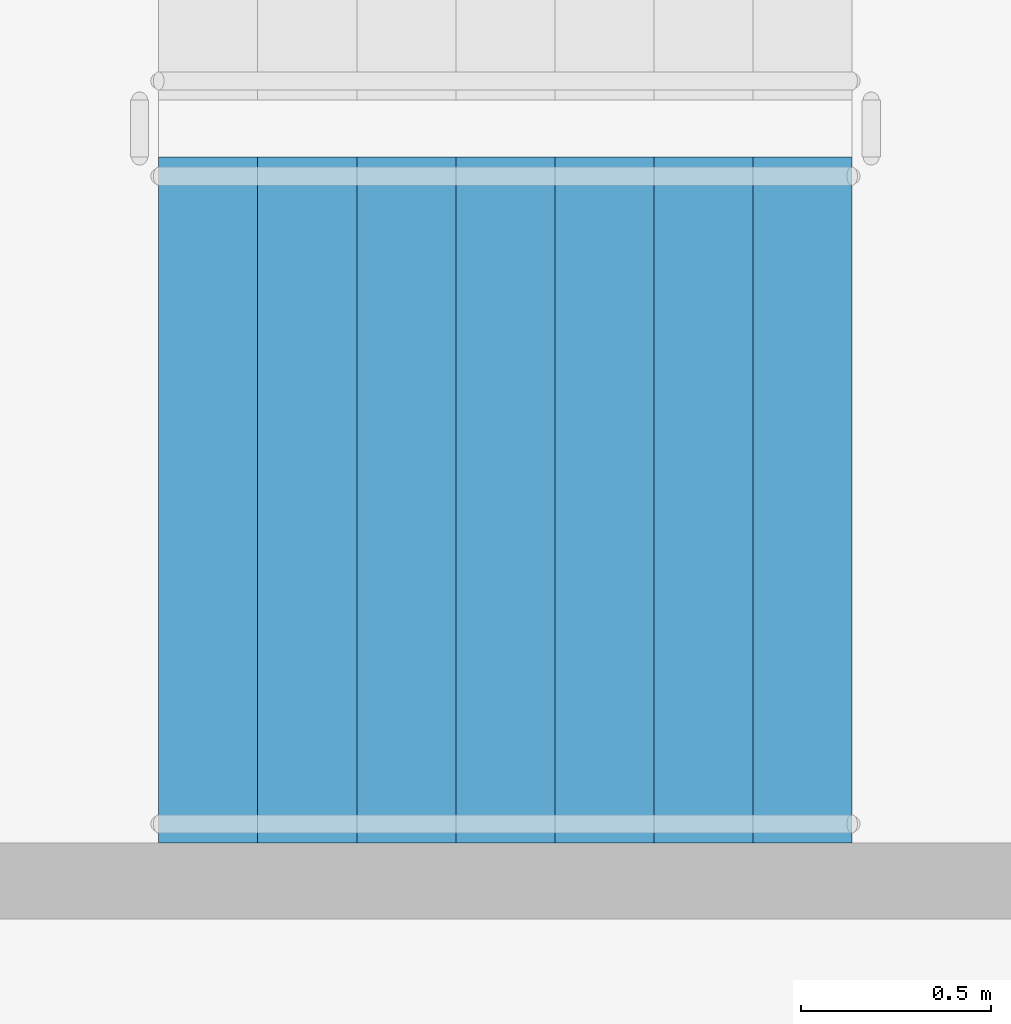
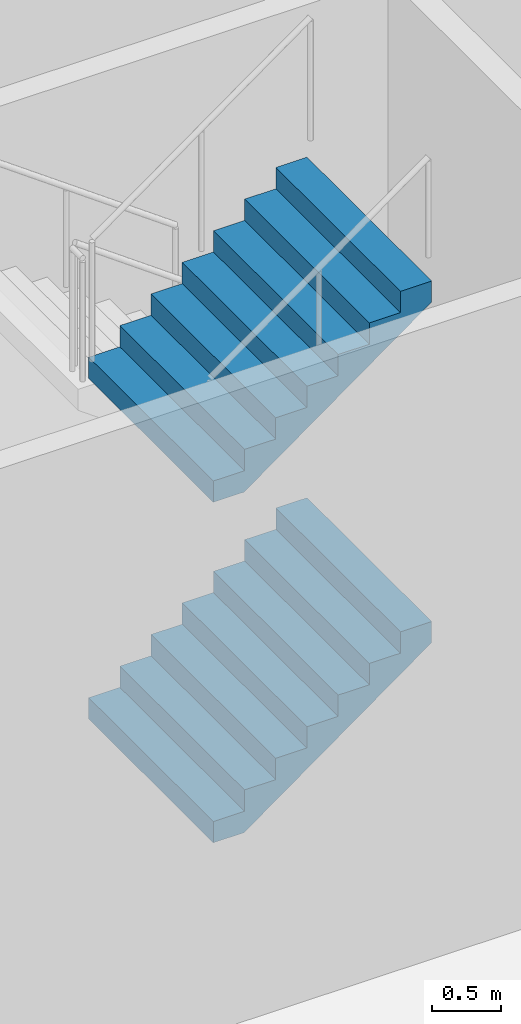
# One storey, part 56 of 75: 2 stair flights, 1 element without a shape of its own.
"""IFC4 building model written with IfcOpenShell, lengths in metres."""

from ifc_helpers import new_model, si_unit, direction, frame, origin, place, context, subcontext, project, spatial, faceted_brep, material, type_object, element, aggregate, save


model = new_model("IFC4")

# Units and contexts
model_context = context("Model", 3, precision=1e-05, world=origin(), true_north=direction((0.0, 1.0)))
body_context = subcontext(model_context, "Body", "Model", "MODEL_VIEW")
ifc_project = project(units=[si_unit("LENGTHUNIT", "METRE"), si_unit("AREAUNIT", "SQUARE_METRE"), si_unit("VOLUMEUNIT", "CUBIC_METRE"), si_unit("PLANEANGLEUNIT", "RADIAN"), si_unit("MASSUNIT", "GRAM", prefix="KILO")], contexts=[model_context])

# Site, building, storey
site_placement = place(None, origin())
site = spatial("IfcSite", under=ifc_project, at=site_placement, CompositionType="ELEMENT")
building_placement = place(site_placement, origin())
building = spatial("IfcBuilding", under=site, at=building_placement, Name="Ipe Terrace Towers", CompositionType="ELEMENT")
storey_placement = place(building_placement, origin())
storey = spatial("IfcBuildingStorey", under=building, at=storey_placement, Name="L00", CompositionType="ELEMENT", Elevation=0.0)

# Stair, stair flights
ifc_material_1 = material(Name="Concrete C30/37", Category="concrete")
stair_type = type_object("IfcStairType", Name="Protected exit stair", PredefinedType="HALF_TURN_STAIR", material=ifc_material_1)
stair_placement = place(storey_placement, origin())
stair = element("IfcStair", 1, at=stair_placement, inside=storey, type_object=stair_type, Name="L00 Podium exit stair PS2", PredefinedType="HALF_TURN_STAIR")
ifc_material_2 = material(Name="Concrete C30/37", Category="concrete")
stair_flight_type = type_object("IfcStairFlightType", Name="Exit stair flight 1800", PredefinedType="STRAIGHT", material=ifc_material_2)
stair_flight_1_placement = place(storey_placement, frame((-2.570068359375, 23.550048828125, 1.5), z_axis=(0.0, 0.0, 1.0), x_axis=(1.0, 0.0, 0.0)))
stair_flight_1 = element("IfcStairFlight", 2, at=stair_flight_1_placement, type_object=stair_flight_type, Name="PS2 flight 2", NumberOfRisers=8, NumberOfTreads=7, PredefinedType="STRAIGHT", RiserHeight=0.1875, TreadLength=0.26, context=body_context, shape_type="Brep", body=[
    faceted_brep([(0.25634765625, -0.89990234375, 0.0), (1.820068359375, -0.89990234375, 1.127685546875), (1.820068359375, -0.89990234375, 1.3125), (1.56005859375, -0.89990234375, 1.3125), (1.56005859375, -0.89990234375, 1.125), (1.300048828125, -0.89990234375, 1.125), (1.300048828125, -0.89990234375, 0.9375), (1.0400390625, -0.89990234375, 0.9375), (1.0400390625, -0.89990234375, 0.75), (0.780029296875, -0.89990234375, 0.75), (0.780029296875, -0.89990234375, 0.5625), (0.52001953125, -0.89990234375, 0.5625), (0.52001953125, -0.89990234375, 0.375), (0.260009765625, -0.89990234375, 0.375), (0.260009765625, -0.89990234375, 0.1875), (0.0, -0.89990234375, 0.1875), (0.0, -0.89990234375, 0.0), (0.0, 0.89990234375, 0.0), (0.0, 0.89990234375, 0.1875), (0.260009765625, 0.89990234375, 0.1875), (0.260009765625, 0.89990234375, 0.375), (0.52001953125, 0.89990234375, 0.375), (0.52001953125, 0.89990234375, 0.5625), (0.780029296875, 0.89990234375, 0.5625), (0.780029296875, 0.89990234375, 0.75), (1.0400390625, 0.89990234375, 0.75), (1.0400390625, 0.89990234375, 0.9375), (1.300048828125, 0.89990234375, 0.9375), (1.300048828125, 0.89990234375, 1.125), (1.56005859375, 0.89990234375, 1.125), (1.56005859375, 0.89990234375, 1.3125), (1.820068359375, 0.89990234375, 1.3125), (1.820068359375, 0.89990234375, 1.127685546875), (0.25634765625, 0.89990234375, 0.0), (0.0, -0.300048828125, 0.1875), (0.0, -0.1201171875, 0.1875), (0.0, -0.06005859375, 0.1875), (0.0, -0.030029296875, 0.1875), (0.0, -0.010009765625, 0.1875), (0.0, 0.0, 0.1875), (0.0, 0.010009765625, 0.1875), (0.0, 0.030029296875, 0.1875), (0.0, 0.06005859375, 0.1875), (0.0, 0.1201171875, 0.1875), (0.0, 0.300048828125, 0.1875), (0.0, 0.300048828125, 0.0), (0.0, 0.1201171875, 0.0), (0.0, 0.06005859375, 0.0), (0.0, 0.030029296875, 0.0), (0.0, 0.010009765625, 0.0), (0.0, 0.0, 0.0), (0.0, -0.010009765625, 0.0), (0.0, -0.030029296875, 0.0), (0.0, -0.06005859375, 0.0), (0.0, -0.1201171875, 0.0), (0.0, -0.300048828125, 0.0), (0.260009765625, -0.300048828125, 0.1875), (0.260009765625, -0.1201171875, 0.1875), (0.260009765625, -0.06005859375, 0.1875), (0.260009765625, -0.030029296875, 0.1875), (0.260009765625, -0.010009765625, 0.1875), (0.260009765625, 0.0, 0.1875), (0.260009765625, 0.010009765625, 0.1875), (0.260009765625, 0.030029296875, 0.1875), (0.260009765625, 0.06005859375, 0.1875), (0.260009765625, 0.1201171875, 0.1875), (0.260009765625, 0.300048828125, 0.1875), (0.260009765625, -0.300048828125, 0.375), (0.260009765625, -0.1201171875, 0.375), (0.260009765625, -0.06005859375, 0.375), (0.260009765625, -0.030029296875, 0.375), (0.260009765625, -0.010009765625, 0.375), (0.260009765625, 0.0, 0.375), (0.260009765625, 0.010009765625, 0.375), (0.260009765625, 0.030029296875, 0.375), (0.260009765625, 0.06005859375, 0.375), (0.260009765625, 0.1201171875, 0.375), (0.260009765625, 0.300048828125, 0.375), (0.52001953125, -0.300048828125, 0.375), (0.52001953125, -0.1201171875, 0.375), (0.52001953125, -0.06005859375, 0.375), (0.52001953125, -0.030029296875, 0.375), (0.52001953125, -0.010009765625, 0.375), (0.52001953125, 0.0, 0.375), (0.52001953125, 0.010009765625, 0.375), (0.52001953125, 0.030029296875, 0.375), (0.52001953125, 0.06005859375, 0.375), (0.52001953125, 0.1201171875, 0.375), (0.52001953125, 0.300048828125, 0.375), (0.52001953125, -0.300048828125, 0.5625), (0.52001953125, -0.1201171875, 0.5625), (0.52001953125, -0.06005859375, 0.5625), (0.52001953125, -0.030029296875, 0.5625), (0.52001953125, -0.010009765625, 0.5625), (0.52001953125, 0.0, 0.5625), (0.52001953125, 0.010009765625, 0.5625), (0.52001953125, 0.030029296875, 0.5625), (0.52001953125, 0.06005859375, 0.5625), (0.52001953125, 0.1201171875, 0.5625), (0.52001953125, 0.300048828125, 0.5625), (0.780029296875, -0.300048828125, 0.5625), (0.780029296875, -0.1201171875, 0.5625), (0.780029296875, -0.06005859375, 0.5625), (0.780029296875, -0.030029296875, 0.5625), (0.780029296875, -0.010009765625, 0.5625), (0.780029296875, 0.0, 0.5625), (0.780029296875, 0.010009765625, 0.5625), (0.780029296875, 0.030029296875, 0.5625), (0.780029296875, 0.06005859375, 0.5625), (0.780029296875, 0.1201171875, 0.5625), (0.780029296875, 0.300048828125, 0.5625), (0.780029296875, -0.300048828125, 0.75), (0.780029296875, -0.1201171875, 0.75), (0.780029296875, -0.06005859375, 0.75), (0.780029296875, -0.030029296875, 0.75), (0.780029296875, -0.010009765625, 0.75), (0.780029296875, 0.0, 0.75), (0.780029296875, 0.010009765625, 0.75), (0.780029296875, 0.030029296875, 0.75), (0.780029296875, 0.06005859375, 0.75), (0.780029296875, 0.1201171875, 0.75), (0.780029296875, 0.300048828125, 0.75), (1.0400390625, -0.300048828125, 0.75), (1.0400390625, -0.1201171875, 0.75), (1.0400390625, -0.06005859375, 0.75), (1.0400390625, -0.030029296875, 0.75), (1.0400390625, -0.010009765625, 0.75), (1.0400390625, 0.0, 0.75), (1.0400390625, 0.010009765625, 0.75), (1.0400390625, 0.030029296875, 0.75), (1.0400390625, 0.06005859375, 0.75), (1.0400390625, 0.1201171875, 0.75), (1.0400390625, 0.300048828125, 0.75), (1.0400390625, -0.300048828125, 0.9375), (1.0400390625, -0.1201171875, 0.9375), (1.0400390625, -0.06005859375, 0.9375), (1.0400390625, -0.030029296875, 0.9375), (1.0400390625, -0.010009765625, 0.9375), (1.0400390625, 0.0, 0.9375), (1.0400390625, 0.010009765625, 0.9375), (1.0400390625, 0.030029296875, 0.9375), (1.0400390625, 0.06005859375, 0.9375), (1.0400390625, 0.1201171875, 0.9375), (1.0400390625, 0.300048828125, 0.9375), (1.300048828125, -0.300048828125, 0.9375), (1.300048828125, -0.1201171875, 0.9375), (1.300048828125, -0.06005859375, 0.9375), (1.300048828125, -0.030029296875, 0.9375), (1.300048828125, -0.010009765625, 0.9375), (1.300048828125, 0.0, 0.9375), (1.300048828125, 0.010009765625, 0.9375), (1.300048828125, 0.030029296875, 0.9375), (1.300048828125, 0.06005859375, 0.9375), (1.300048828125, 0.1201171875, 0.9375), (1.300048828125, 0.300048828125, 0.9375), (1.300048828125, -0.300048828125, 1.125), (1.300048828125, -0.1201171875, 1.125), (1.300048828125, -0.06005859375, 1.125), (1.300048828125, -0.030029296875, 1.125), (1.300048828125, -0.010009765625, 1.125), (1.300048828125, 0.0, 1.125), (1.300048828125, 0.010009765625, 1.125), (1.300048828125, 0.030029296875, 1.125), (1.300048828125, 0.06005859375, 1.125), (1.300048828125, 0.1201171875, 1.125), (1.300048828125, 0.300048828125, 1.125), (1.56005859375, -0.300048828125, 1.125), (1.56005859375, -0.1201171875, 1.125), (1.56005859375, -0.06005859375, 1.125), (1.56005859375, -0.030029296875, 1.125), (1.56005859375, -0.010009765625, 1.125), (1.56005859375, 0.0, 1.125), (1.56005859375, 0.010009765625, 1.125), (1.56005859375, 0.030029296875, 1.125), (1.56005859375, 0.06005859375, 1.125), (1.56005859375, 0.1201171875, 1.125), (1.56005859375, 0.300048828125, 1.125), (1.56005859375, -0.300048828125, 1.3125), (1.56005859375, -0.1201171875, 1.3125), (1.56005859375, -0.06005859375, 1.3125), (1.56005859375, -0.030029296875, 1.3125), (1.56005859375, -0.010009765625, 1.3125), (1.56005859375, 0.0, 1.3125), (1.56005859375, 0.010009765625, 1.3125), (1.56005859375, 0.030029296875, 1.3125), (1.56005859375, 0.06005859375, 1.3125), (1.56005859375, 0.1201171875, 1.3125), (1.56005859375, 0.300048828125, 1.3125), (1.820068359375, -0.300048828125, 1.3125), (1.820068359375, -0.1201171875, 1.3125), (1.820068359375, -0.06005859375, 1.3125), (1.820068359375, -0.030029296875, 1.3125), (1.820068359375, -0.010009765625, 1.3125), (1.820068359375, 0.0, 1.3125), (1.820068359375, 0.010009765625, 1.3125), (1.820068359375, 0.030029296875, 1.3125), (1.820068359375, 0.06005859375, 1.3125), (1.820068359375, 0.1201171875, 1.3125), (1.820068359375, 0.300048828125, 1.3125), (1.820068359375, -0.300048828125, 1.127685546875), (1.820068359375, -0.1201171875, 1.127685546875), (1.820068359375, -0.06005859375, 1.127685546875), (1.820068359375, -0.030029296875, 1.127685546875), (1.820068359375, -0.010009765625, 1.127685546875), (1.820068359375, 0.0, 1.127685546875), (1.820068359375, 0.010009765625, 1.127685546875), (1.820068359375, 0.030029296875, 1.127685546875), (1.820068359375, 0.06005859375, 1.127685546875), (1.820068359375, 0.1201171875, 1.127685546875), (1.820068359375, 0.300048828125, 1.127685546875), (0.25634765625, -0.300048828125, 0.0), (0.25634765625, -0.1201171875, 0.0), (0.25634765625, -0.06005859375, 0.0), (0.25634765625, -0.030029296875, 0.0), (0.25634765625, -0.010009765625, 0.0), (0.25634765625, 0.0, 0.0), (0.25634765625, 0.010009765625, 0.0), (0.25634765625, 0.030029296875, 0.0), (0.25634765625, 0.06005859375, 0.0), (0.25634765625, 0.1201171875, 0.0), (0.25634765625, 0.300048828125, 0.0)], [[[0, 1, 2, 3, 4, 5, 6, 7, 8, 9, 10, 11, 12, 13, 14, 15, 16]], [[17, 18, 19, 20, 21, 22, 23, 24, 25, 26, 27, 28, 29, 30, 31, 32, 33]], [[15, 34, 35, 36, 37, 38, 39, 40, 41, 42, 43, 44, 18, 17, 45, 46, 47, 48, 49, 50, 51, 52, 53, 54, 55, 16]], [[14, 56, 57, 58, 59, 60, 61, 62, 63, 64, 65, 66, 19, 18, 44, 43, 42, 41, 40, 39, 38, 37, 36, 35, 34, 15]], [[13, 67, 68, 69, 70, 71, 72, 73, 74, 75, 76, 77, 20, 19, 66, 65, 64, 63, 62, 61, 60, 59, 58, 57, 56, 14]], [[12, 78, 79, 80, 81, 82, 83, 84, 85, 86, 87, 88, 21, 20, 77, 76, 75, 74, 73, 72, 71, 70, 69, 68, 67, 13]], [[11, 89, 90, 91, 92, 93, 94, 95, 96, 97, 98, 99, 22, 21, 88, 87, 86, 85, 84, 83, 82, 81, 80, 79, 78, 12]], [[10, 100, 101, 102, 103, 104, 105, 106, 107, 108, 109, 110, 23, 22, 99, 98, 97, 96, 95, 94, 93, 92, 91, 90, 89, 11]], [[9, 111, 112, 113, 114, 115, 116, 117, 118, 119, 120, 121, 24, 23, 110, 109, 108, 107, 106, 105, 104, 103, 102, 101, 100, 10]], [[8, 122, 123, 124, 125, 126, 127, 128, 129, 130, 131, 132, 25, 24, 121, 120, 119, 118, 117, 116, 115, 114, 113, 112, 111, 9]], [[7, 133, 134, 135, 136, 137, 138, 139, 140, 141, 142, 143, 26, 25, 132, 131, 130, 129, 128, 127, 126, 125, 124, 123, 122, 8]], [[6, 144, 145, 146, 147, 148, 149, 150, 151, 152, 153, 154, 27, 26, 143, 142, 141, 140, 139, 138, 137, 136, 135, 134, 133, 7]], [[5, 155, 156, 157, 158, 159, 160, 161, 162, 163, 164, 165, 28, 27, 154, 153, 152, 151, 150, 149, 148, 147, 146, 145, 144, 6]], [[4, 166, 167, 168, 169, 170, 171, 172, 173, 174, 175, 176, 29, 28, 165, 164, 163, 162, 161, 160, 159, 158, 157, 156, 155, 5]], [[3, 177, 178, 179, 180, 181, 182, 183, 184, 185, 186, 187, 30, 29, 176, 175, 174, 173, 172, 171, 170, 169, 168, 167, 166, 4]], [[2, 188, 189, 190, 191, 192, 193, 194, 195, 196, 197, 198, 31, 30, 187, 186, 185, 184, 183, 182, 181, 180, 179, 178, 177, 3]], [[1, 199, 200, 201, 202, 203, 204, 205, 206, 207, 208, 209, 32, 31, 198, 197, 196, 195, 194, 193, 192, 191, 190, 189, 188, 2]], [[0, 210, 211, 212, 213, 214, 215, 216, 217, 218, 219, 220, 33, 32, 209, 208, 207, 206, 205, 204, 203, 202, 201, 200, 199, 1]], [[16, 55, 54, 53, 52, 51, 50, 49, 48, 47, 46, 45, 17, 33, 220, 219, 218, 217, 216, 215, 214, 213, 212, 211, 210, 0]]]),
])
stair_flight_2_placement = place(storey_placement, frame((-2.570068359375, 23.550048828125, 4.5), z_axis=(0.0, 0.0, 1.0), x_axis=(1.0, 0.0, 0.0)))
stair_flight_2 = element("IfcStairFlight", 3, at=stair_flight_2_placement, type_object=stair_flight_type, Name="PS2 flight 4", NumberOfRisers=8, NumberOfTreads=7, PredefinedType="STRAIGHT", RiserHeight=0.1875, TreadLength=0.26, context=body_context, shape_type="Brep", body=[
    faceted_brep([(0.25634765625, -0.89990234375, 0.0), (1.820068359375, -0.89990234375, 1.127685546875), (1.820068359375, -0.89990234375, 1.3125), (1.56005859375, -0.89990234375, 1.3125), (1.56005859375, -0.89990234375, 1.125), (1.300048828125, -0.89990234375, 1.125), (1.300048828125, -0.89990234375, 0.9375), (1.0400390625, -0.89990234375, 0.9375), (1.0400390625, -0.89990234375, 0.75), (0.780029296875, -0.89990234375, 0.75), (0.780029296875, -0.89990234375, 0.5625), (0.52001953125, -0.89990234375, 0.5625), (0.52001953125, -0.89990234375, 0.375), (0.260009765625, -0.89990234375, 0.375), (0.260009765625, -0.89990234375, 0.1875), (0.0, -0.89990234375, 0.1875), (0.0, -0.89990234375, 0.0), (0.0, 0.89990234375, 0.0), (0.0, 0.89990234375, 0.1875), (0.260009765625, 0.89990234375, 0.1875), (0.260009765625, 0.89990234375, 0.375), (0.52001953125, 0.89990234375, 0.375), (0.52001953125, 0.89990234375, 0.5625), (0.780029296875, 0.89990234375, 0.5625), (0.780029296875, 0.89990234375, 0.75), (1.0400390625, 0.89990234375, 0.75), (1.0400390625, 0.89990234375, 0.9375), (1.300048828125, 0.89990234375, 0.9375), (1.300048828125, 0.89990234375, 1.125), (1.56005859375, 0.89990234375, 1.125), (1.56005859375, 0.89990234375, 1.3125), (1.820068359375, 0.89990234375, 1.3125), (1.820068359375, 0.89990234375, 1.127685546875), (0.25634765625, 0.89990234375, 0.0), (0.0, -0.300048828125, 0.1875), (0.0, -0.1201171875, 0.1875), (0.0, -0.06005859375, 0.1875), (0.0, -0.030029296875, 0.1875), (0.0, -0.010009765625, 0.1875), (0.0, 0.0, 0.1875), (0.0, 0.010009765625, 0.1875), (0.0, 0.030029296875, 0.1875), (0.0, 0.06005859375, 0.1875), (0.0, 0.1201171875, 0.1875), (0.0, 0.300048828125, 0.1875), (0.0, 0.300048828125, 0.0), (0.0, 0.1201171875, 0.0), (0.0, 0.06005859375, 0.0), (0.0, 0.030029296875, 0.0), (0.0, 0.010009765625, 0.0), (0.0, 0.0, 0.0), (0.0, -0.010009765625, 0.0), (0.0, -0.030029296875, 0.0), (0.0, -0.06005859375, 0.0), (0.0, -0.1201171875, 0.0), (0.0, -0.300048828125, 0.0), (0.260009765625, -0.300048828125, 0.1875), (0.260009765625, -0.1201171875, 0.1875), (0.260009765625, -0.06005859375, 0.1875), (0.260009765625, -0.030029296875, 0.1875), (0.260009765625, -0.010009765625, 0.1875), (0.260009765625, 0.0, 0.1875), (0.260009765625, 0.010009765625, 0.1875), (0.260009765625, 0.030029296875, 0.1875), (0.260009765625, 0.06005859375, 0.1875), (0.260009765625, 0.1201171875, 0.1875), (0.260009765625, 0.300048828125, 0.1875), (0.260009765625, -0.300048828125, 0.375), (0.260009765625, -0.1201171875, 0.375), (0.260009765625, -0.06005859375, 0.375), (0.260009765625, -0.030029296875, 0.375), (0.260009765625, -0.010009765625, 0.375), (0.260009765625, 0.0, 0.375), (0.260009765625, 0.010009765625, 0.375), (0.260009765625, 0.030029296875, 0.375), (0.260009765625, 0.06005859375, 0.375), (0.260009765625, 0.1201171875, 0.375), (0.260009765625, 0.300048828125, 0.375), (0.52001953125, -0.300048828125, 0.375), (0.52001953125, -0.1201171875, 0.375), (0.52001953125, -0.06005859375, 0.375), (0.52001953125, -0.030029296875, 0.375), (0.52001953125, -0.010009765625, 0.375), (0.52001953125, 0.0, 0.375), (0.52001953125, 0.010009765625, 0.375), (0.52001953125, 0.030029296875, 0.375), (0.52001953125, 0.06005859375, 0.375), (0.52001953125, 0.1201171875, 0.375), (0.52001953125, 0.300048828125, 0.375), (0.52001953125, -0.300048828125, 0.5625), (0.52001953125, -0.1201171875, 0.5625), (0.52001953125, -0.06005859375, 0.5625), (0.52001953125, -0.030029296875, 0.5625), (0.52001953125, -0.010009765625, 0.5625), (0.52001953125, 0.0, 0.5625), (0.52001953125, 0.010009765625, 0.5625), (0.52001953125, 0.030029296875, 0.5625), (0.52001953125, 0.06005859375, 0.5625), (0.52001953125, 0.1201171875, 0.5625), (0.52001953125, 0.300048828125, 0.5625), (0.780029296875, -0.300048828125, 0.5625), (0.780029296875, -0.1201171875, 0.5625), (0.780029296875, -0.06005859375, 0.5625), (0.780029296875, -0.030029296875, 0.5625), (0.780029296875, -0.010009765625, 0.5625), (0.780029296875, 0.0, 0.5625), (0.780029296875, 0.010009765625, 0.5625), (0.780029296875, 0.030029296875, 0.5625), (0.780029296875, 0.06005859375, 0.5625), (0.780029296875, 0.1201171875, 0.5625), (0.780029296875, 0.300048828125, 0.5625), (0.780029296875, -0.300048828125, 0.75), (0.780029296875, -0.1201171875, 0.75), (0.780029296875, -0.06005859375, 0.75), (0.780029296875, -0.030029296875, 0.75), (0.780029296875, -0.010009765625, 0.75), (0.780029296875, 0.0, 0.75), (0.780029296875, 0.010009765625, 0.75), (0.780029296875, 0.030029296875, 0.75), (0.780029296875, 0.06005859375, 0.75), (0.780029296875, 0.1201171875, 0.75), (0.780029296875, 0.300048828125, 0.75), (1.0400390625, -0.300048828125, 0.75), (1.0400390625, -0.1201171875, 0.75), (1.0400390625, -0.06005859375, 0.75), (1.0400390625, -0.030029296875, 0.75), (1.0400390625, -0.010009765625, 0.75), (1.0400390625, 0.0, 0.75), (1.0400390625, 0.010009765625, 0.75), (1.0400390625, 0.030029296875, 0.75), (1.0400390625, 0.06005859375, 0.75), (1.0400390625, 0.1201171875, 0.75), (1.0400390625, 0.300048828125, 0.75), (1.0400390625, -0.300048828125, 0.9375), (1.0400390625, -0.1201171875, 0.9375), (1.0400390625, -0.06005859375, 0.9375), (1.0400390625, -0.030029296875, 0.9375), (1.0400390625, -0.010009765625, 0.9375), (1.0400390625, 0.0, 0.9375), (1.0400390625, 0.010009765625, 0.9375), (1.0400390625, 0.030029296875, 0.9375), (1.0400390625, 0.06005859375, 0.9375), (1.0400390625, 0.1201171875, 0.9375), (1.0400390625, 0.300048828125, 0.9375), (1.300048828125, -0.300048828125, 0.9375), (1.300048828125, -0.1201171875, 0.9375), (1.300048828125, -0.06005859375, 0.9375), (1.300048828125, -0.030029296875, 0.9375), (1.300048828125, -0.010009765625, 0.9375), (1.300048828125, 0.0, 0.9375), (1.300048828125, 0.010009765625, 0.9375), (1.300048828125, 0.030029296875, 0.9375), (1.300048828125, 0.06005859375, 0.9375), (1.300048828125, 0.1201171875, 0.9375), (1.300048828125, 0.300048828125, 0.9375), (1.300048828125, -0.300048828125, 1.125), (1.300048828125, -0.1201171875, 1.125), (1.300048828125, -0.06005859375, 1.125), (1.300048828125, -0.030029296875, 1.125), (1.300048828125, -0.010009765625, 1.125), (1.300048828125, 0.0, 1.125), (1.300048828125, 0.010009765625, 1.125), (1.300048828125, 0.030029296875, 1.125), (1.300048828125, 0.06005859375, 1.125), (1.300048828125, 0.1201171875, 1.125), (1.300048828125, 0.300048828125, 1.125), (1.56005859375, -0.300048828125, 1.125), (1.56005859375, -0.1201171875, 1.125), (1.56005859375, -0.06005859375, 1.125), (1.56005859375, -0.030029296875, 1.125), (1.56005859375, -0.010009765625, 1.125), (1.56005859375, 0.0, 1.125), (1.56005859375, 0.010009765625, 1.125), (1.56005859375, 0.030029296875, 1.125), (1.56005859375, 0.06005859375, 1.125), (1.56005859375, 0.1201171875, 1.125), (1.56005859375, 0.300048828125, 1.125), (1.56005859375, -0.300048828125, 1.3125), (1.56005859375, -0.1201171875, 1.3125), (1.56005859375, -0.06005859375, 1.3125), (1.56005859375, -0.030029296875, 1.3125), (1.56005859375, -0.010009765625, 1.3125), (1.56005859375, 0.0, 1.3125), (1.56005859375, 0.010009765625, 1.3125), (1.56005859375, 0.030029296875, 1.3125), (1.56005859375, 0.06005859375, 1.3125), (1.56005859375, 0.1201171875, 1.3125), (1.56005859375, 0.300048828125, 1.3125), (1.820068359375, -0.300048828125, 1.3125), (1.820068359375, -0.1201171875, 1.3125), (1.820068359375, -0.06005859375, 1.3125), (1.820068359375, -0.030029296875, 1.3125), (1.820068359375, -0.010009765625, 1.3125), (1.820068359375, 0.0, 1.3125), (1.820068359375, 0.010009765625, 1.3125), (1.820068359375, 0.030029296875, 1.3125), (1.820068359375, 0.06005859375, 1.3125), (1.820068359375, 0.1201171875, 1.3125), (1.820068359375, 0.300048828125, 1.3125), (1.820068359375, -0.300048828125, 1.127685546875), (1.820068359375, -0.1201171875, 1.127685546875), (1.820068359375, -0.06005859375, 1.127685546875), (1.820068359375, -0.030029296875, 1.127685546875), (1.820068359375, -0.010009765625, 1.127685546875), (1.820068359375, 0.0, 1.127685546875), (1.820068359375, 0.010009765625, 1.127685546875), (1.820068359375, 0.030029296875, 1.127685546875), (1.820068359375, 0.06005859375, 1.127685546875), (1.820068359375, 0.1201171875, 1.127685546875), (1.820068359375, 0.300048828125, 1.127685546875), (0.25634765625, -0.300048828125, 0.0), (0.25634765625, -0.1201171875, 0.0), (0.25634765625, -0.06005859375, 0.0), (0.25634765625, -0.030029296875, 0.0), (0.25634765625, -0.010009765625, 0.0), (0.25634765625, 0.0, 0.0), (0.25634765625, 0.010009765625, 0.0), (0.25634765625, 0.030029296875, 0.0), (0.25634765625, 0.06005859375, 0.0), (0.25634765625, 0.1201171875, 0.0), (0.25634765625, 0.300048828125, 0.0)], [[[0, 1, 2, 3, 4, 5, 6, 7, 8, 9, 10, 11, 12, 13, 14, 15, 16]], [[17, 18, 19, 20, 21, 22, 23, 24, 25, 26, 27, 28, 29, 30, 31, 32, 33]], [[15, 34, 35, 36, 37, 38, 39, 40, 41, 42, 43, 44, 18, 17, 45, 46, 47, 48, 49, 50, 51, 52, 53, 54, 55, 16]], [[14, 56, 57, 58, 59, 60, 61, 62, 63, 64, 65, 66, 19, 18, 44, 43, 42, 41, 40, 39, 38, 37, 36, 35, 34, 15]], [[13, 67, 68, 69, 70, 71, 72, 73, 74, 75, 76, 77, 20, 19, 66, 65, 64, 63, 62, 61, 60, 59, 58, 57, 56, 14]], [[12, 78, 79, 80, 81, 82, 83, 84, 85, 86, 87, 88, 21, 20, 77, 76, 75, 74, 73, 72, 71, 70, 69, 68, 67, 13]], [[11, 89, 90, 91, 92, 93, 94, 95, 96, 97, 98, 99, 22, 21, 88, 87, 86, 85, 84, 83, 82, 81, 80, 79, 78, 12]], [[10, 100, 101, 102, 103, 104, 105, 106, 107, 108, 109, 110, 23, 22, 99, 98, 97, 96, 95, 94, 93, 92, 91, 90, 89, 11]], [[9, 111, 112, 113, 114, 115, 116, 117, 118, 119, 120, 121, 24, 23, 110, 109, 108, 107, 106, 105, 104, 103, 102, 101, 100, 10]], [[8, 122, 123, 124, 125, 126, 127, 128, 129, 130, 131, 132, 25, 24, 121, 120, 119, 118, 117, 116, 115, 114, 113, 112, 111, 9]], [[7, 133, 134, 135, 136, 137, 138, 139, 140, 141, 142, 143, 26, 25, 132, 131, 130, 129, 128, 127, 126, 125, 124, 123, 122, 8]], [[6, 144, 145, 146, 147, 148, 149, 150, 151, 152, 153, 154, 27, 26, 143, 142, 141, 140, 139, 138, 137, 136, 135, 134, 133, 7]], [[5, 155, 156, 157, 158, 159, 160, 161, 162, 163, 164, 165, 28, 27, 154, 153, 152, 151, 150, 149, 148, 147, 146, 145, 144, 6]], [[4, 166, 167, 168, 169, 170, 171, 172, 173, 174, 175, 176, 29, 28, 165, 164, 163, 162, 161, 160, 159, 158, 157, 156, 155, 5]], [[3, 177, 178, 179, 180, 181, 182, 183, 184, 185, 186, 187, 30, 29, 176, 175, 174, 173, 172, 171, 170, 169, 168, 167, 166, 4]], [[2, 188, 189, 190, 191, 192, 193, 194, 195, 196, 197, 198, 31, 30, 187, 186, 185, 184, 183, 182, 181, 180, 179, 178, 177, 3]], [[1, 199, 200, 201, 202, 203, 204, 205, 206, 207, 208, 209, 32, 31, 198, 197, 196, 195, 194, 193, 192, 191, 190, 189, 188, 2]], [[0, 210, 211, 212, 213, 214, 215, 216, 217, 218, 219, 220, 33, 32, 209, 208, 207, 206, 205, 204, 203, 202, 201, 200, 199, 1]], [[16, 55, 54, 53, 52, 51, 50, 49, 48, 47, 46, 45, 17, 33, 220, 219, 218, 217, 216, 215, 214, 213, 212, 211, 210, 0]]]),
])
aggregate(stair, [stair_flight_1, stair_flight_2])

save(model, "model.ifc")
